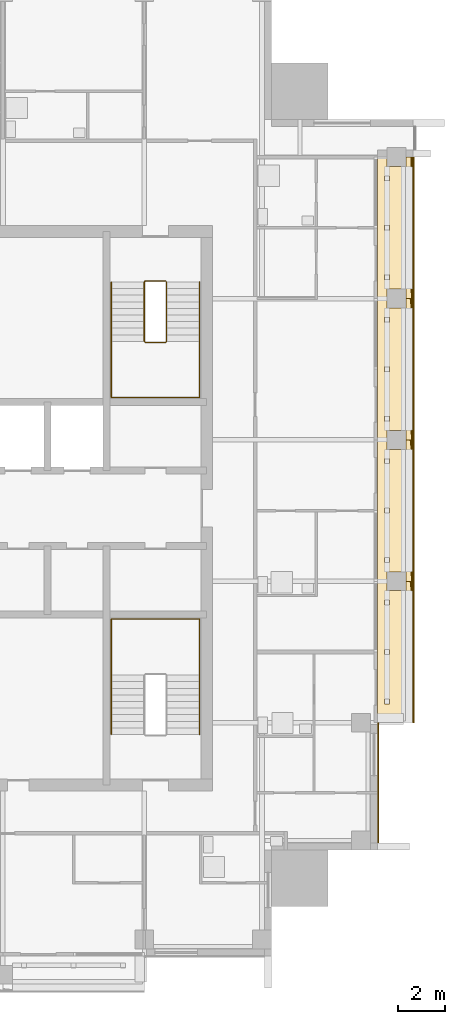
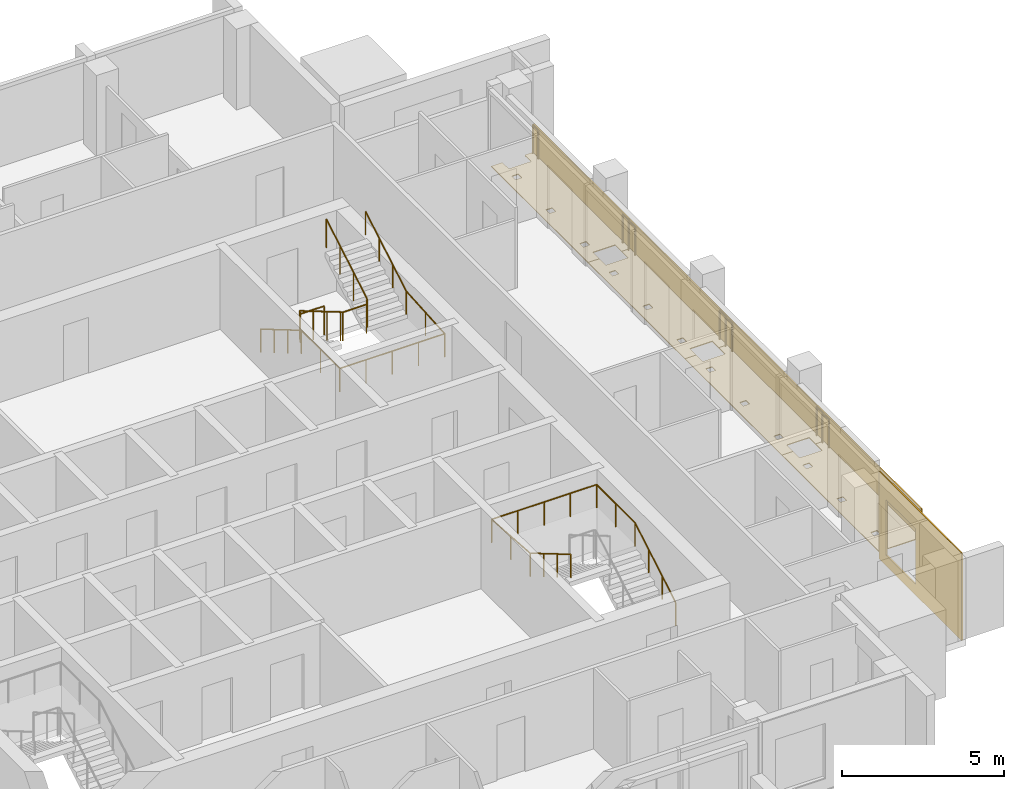
# One storey, part 14 of 15: 10 railings, 6 coverings.
"""IFC4 building model written with IfcOpenShell, lengths in metres."""

from ifc_helpers import new_model, si_unit, direction, frame, origin, origin_2d, place, context, subcontext, project, spatial, polyline, circle, outline, extrude, material, layer, layer_set, type_object, element, save


model = new_model("IFC4")

# Units and contexts
model_context = context("Model", 3, precision=1e-05, world=origin(), true_north=direction((0.0, 1.0)))
body_context = subcontext(model_context, "Body", "Model", "MODEL_VIEW")
ifc_project = project(units=[si_unit("LENGTHUNIT", "METRE"), si_unit("AREAUNIT", "SQUARE_METRE"), si_unit("VOLUMEUNIT", "CUBIC_METRE"), si_unit("PLANEANGLEUNIT", "RADIAN"), si_unit("MASSUNIT", "GRAM", prefix="KILO")], contexts=[model_context])

# Site, building, storey
site_placement = place(None, origin())
site = spatial("IfcSite", under=ifc_project, at=site_placement, CompositionType="ELEMENT")
building_placement = place(site_placement, origin())
building = spatial("IfcBuilding", under=site, at=building_placement, Name="Amberfall Residences", CompositionType="ELEMENT")
storey_placement = place(building_placement, frame((0.0, 0.0, 268.60009765625)))
storey = spatial("IfcBuildingStorey", under=building, at=storey_placement, Name="L72", CompositionType="ELEMENT", Elevation=268.60009765625)

# Coverings
ifc_material_1 = material(Name="Pale limestone cladding", Category="masonry")
ifc_layer_1 = layer(ifc_material_1, 0.050048828125)
ifc_layer_set_1 = layer_set([ifc_layer_1], Name="Limestone fascia 50")
covering_type_1 = type_object("IfcCoveringType", Name="Limestone fascia 50", PredefinedType="CLADDING", material=ifc_layer_set_1)
covering_1_placement = place(storey_placement, frame((0.0, 0.0, -0.25)))
element("IfcCovering", 1, at=covering_1_placement, inside=storey, type_object=covering_type_1, Name="Limestone terrace fascia L72 E1", PredefinedType="CLADDING", context=body_context, shape_type="SweptSolid", body=[
    extrude(outline(polyline([(95.0, 36.39990234375), (95.0, 60.39990234375), (95.050048828125, 60.39990234375), (95.050048828125, 36.39990234375), (95.0, 36.39990234375)])), origin(), (0.0, 0.0, 1.0), 1.349853515625),
])
covering_2_placement = place(storey_placement, frame((93.5, 31.300048828125, 3.0498046875), z_axis=(-1.0, 0.0, 0.0), x_axis=(0.0, 1.0, 0.0)))
element("IfcCovering", 2, at=covering_2_placement, inside=storey, type_object=covering_type_1, Name="Pale limestone cladding L72 E", PredefinedType="CLADDING", context=body_context, shape_type="SweptSolid", body=[
    extrude(outline(polyline([(0.0, 0.0), (5.099853515625, 0.0), (5.099853515625, 3.2998046875), (0.0, 3.2998046875), (0.0, 0.0)]), holes=[polyline([(2.849853515625, 0.7998046875), (4.64990234375, 0.7998046875), (4.64990234375, 2.89990234375), (2.849853515625, 2.89990234375), (2.849853515625, 0.7998046875)])]), origin(), (0.0, 0.0, -1.0), 0.050048828125),
])
ifc_material_2 = material(Name="Pale stone paving", Category="masonry")
ifc_layer_2 = layer(ifc_material_2, 0.030029296875)
ifc_layer_set_2 = layer_set([ifc_layer_2], Name="Pale stone paving 30")
covering_type_2 = type_object("IfcCoveringType", Name="Pale stone paving 30", PredefinedType="FLOORING", material=ifc_layer_set_2)
covering_3_placement = place(storey_placement, origin())
element("IfcCovering", 3, at=covering_3_placement, inside=storey, type_object=covering_type_2, Name="Pale stone paving L72 E2", PredefinedType="FLOORING", context=body_context, shape_type="SweptSolid", body=[
    extrude(outline(polyline([(95.0, 42.39990234375), (94.699951171875, 42.39990234375), (94.699951171875, 42.0), (93.89990234375, 42.0), (93.89990234375, 42.39990234375), (93.5, 42.39990234375), (93.5, 36.39990234375), (95.0, 36.39990234375), (95.0, 42.39990234375)]), holes=[polyline([(93.7900390625, 37.18994140625), (94.010009765625, 37.18994140625), (94.010009765625, 37.409912109375), (93.7900390625, 37.409912109375), (93.7900390625, 37.18994140625)]), polyline([(93.7900390625, 39.2900390625), (94.010009765625, 39.2900390625), (94.010009765625, 39.510009765625), (93.7900390625, 39.510009765625), (93.7900390625, 39.2900390625)]), polyline([(93.7900390625, 41.389892578125), (94.010009765625, 41.389892578125), (94.010009765625, 41.610107421875), (93.7900390625, 41.610107421875), (93.7900390625, 41.389892578125)])]), origin(), (0.0, 0.0, 1.0), 0.02978515625),
])
covering_4_placement = place(storey_placement, origin())
element("IfcCovering", 4, at=covering_4_placement, inside=storey, type_object=covering_type_2, Name="Pale stone paving L72 E3", PredefinedType="FLOORING", context=body_context, shape_type="SweptSolid", body=[
    extrude(outline(polyline([(95.0, 48.39990234375), (94.699951171875, 48.39990234375), (94.699951171875, 48.0), (93.89990234375, 48.0), (93.89990234375, 48.39990234375), (93.5, 48.39990234375), (93.5, 42.39990234375), (93.89990234375, 42.39990234375), (93.89990234375, 42.800048828125), (94.699951171875, 42.800048828125), (94.699951171875, 42.39990234375), (95.0, 42.39990234375), (95.0, 48.39990234375)]), holes=[polyline([(93.7900390625, 43.18994140625), (94.010009765625, 43.18994140625), (94.010009765625, 43.409912109375), (93.7900390625, 43.409912109375), (93.7900390625, 43.18994140625)]), polyline([(93.7900390625, 45.2900390625), (94.010009765625, 45.2900390625), (94.010009765625, 45.510009765625), (93.7900390625, 45.510009765625), (93.7900390625, 45.2900390625)]), polyline([(93.7900390625, 47.389892578125), (94.010009765625, 47.389892578125), (94.010009765625, 47.610107421875), (93.7900390625, 47.610107421875), (93.7900390625, 47.389892578125)])]), origin(), (0.0, 0.0, 1.0), 0.02978515625),
])
covering_5_placement = place(storey_placement, origin())
element("IfcCovering", 5, at=covering_5_placement, inside=storey, type_object=covering_type_2, Name="Pale stone paving L72 E4", PredefinedType="FLOORING", context=body_context, shape_type="SweptSolid", body=[
    extrude(outline(polyline([(95.0, 54.39990234375), (94.699951171875, 54.39990234375), (94.699951171875, 54.0), (93.89990234375, 54.0), (93.89990234375, 54.39990234375), (93.5, 54.39990234375), (93.5, 48.39990234375), (93.89990234375, 48.39990234375), (93.89990234375, 48.800048828125), (94.699951171875, 48.800048828125), (94.699951171875, 48.39990234375), (95.0, 48.39990234375), (95.0, 54.39990234375)]), holes=[polyline([(93.7900390625, 49.18994140625), (94.010009765625, 49.18994140625), (94.010009765625, 49.409912109375), (93.7900390625, 49.409912109375), (93.7900390625, 49.18994140625)]), polyline([(93.7900390625, 51.2900390625), (94.010009765625, 51.2900390625), (94.010009765625, 51.510009765625), (93.7900390625, 51.510009765625), (93.7900390625, 51.2900390625)]), polyline([(93.7900390625, 53.389892578125), (94.010009765625, 53.389892578125), (94.010009765625, 53.610107421875), (93.7900390625, 53.610107421875), (93.7900390625, 53.389892578125)])]), origin(), (0.0, 0.0, 1.0), 0.02978515625),
])
covering_6_placement = place(storey_placement, origin())
element("IfcCovering", 6, at=covering_6_placement, inside=storey, type_object=covering_type_2, Name="Pale stone paving L72 E5", PredefinedType="FLOORING", context=body_context, shape_type="SweptSolid", body=[
    extrude(outline(polyline([(95.0, 60.39990234375), (94.699951171875, 60.39990234375), (94.699951171875, 60.0), (93.89990234375, 60.0), (93.89990234375, 60.39990234375), (93.5, 60.39990234375), (93.5, 54.39990234375), (93.89990234375, 54.39990234375), (93.89990234375, 54.800048828125), (94.699951171875, 54.800048828125), (94.699951171875, 54.39990234375), (95.0, 54.39990234375), (95.0, 60.39990234375)]), holes=[polyline([(93.7900390625, 55.18994140625), (94.010009765625, 55.18994140625), (94.010009765625, 55.409912109375), (93.7900390625, 55.409912109375), (93.7900390625, 55.18994140625)]), polyline([(93.7900390625, 57.2900390625), (94.010009765625, 57.2900390625), (94.010009765625, 57.510009765625), (93.7900390625, 57.510009765625), (93.7900390625, 57.2900390625)]), polyline([(93.7900390625, 59.389892578125), (94.010009765625, 59.389892578125), (94.010009765625, 59.610107421875), (93.7900390625, 59.610107421875), (93.7900390625, 59.389892578125)])]), origin(), (0.0, 0.0, 1.0), 0.02978515625),
])

# Railings
ifc_material_3 = material(Name="Stainless steel 316", Category="steel")
railing_type_1 = type_object("IfcRailingType", Name="Stair guard 1100", PredefinedType="GUARDRAIL", material=ifc_material_3)
railing_1_placement = place(storey_placement, frame((84.5, 55.14990234375, 0.0)))
element("IfcRailing", 7, at=railing_1_placement, inside=storey, type_object=railing_type_1, Name="L72 stair 3 guard", PredefinedType="GUARDRAIL", context=body_context, shape_type="SweptSolid", body=[
    extrude(circle(Radius=0.02392578125, at=origin_2d()), frame((0.0, 0.0, 1.076171875), z_axis=(-1.0, 0.0, 0.0), x_axis=(0.0, -1.0, 0.0)), (0.0, 0.0, 1.0), 0.85009765625),
    extrude(circle(Radius=0.02392578125, at=origin_2d()), frame((-0.85009765625, 0.0, 1.076171875), z_axis=(-0.277903107438, -0.277903107438, 0.919532340787), x_axis=(0.707106781187, -0.707106781187, 0.0)), (0.0, 0.0, 1.0), 0.17919921875),
    extrude(circle(Radius=0.02392578125, at=origin_2d()), frame((-0.89990234375, -0.0498046875, 1.24072265625), z_axis=(0.0, -0.86152411907, 0.507716645641), x_axis=(1.0, 0.0, 0.0)), (0.0, 0.0, 1.0), 2.925048828125),
    extrude(circle(Radius=0.02392578125, at=origin_2d()), frame((-0.89990234375, -2.56982421875, 2.72607421875), z_axis=(0.705375805398, -0.708833529934, 0.0), x_axis=(0.708833529934, 0.705375805398, 0.0)), (0.0, 0.0, 1.0), 0.070556640625),
    extrude(circle(Radius=0.02392578125, at=origin_2d()), frame((-0.85009765625, -2.619873046875, 2.72607421875), z_axis=(1.0, 0.0, 0.0), x_axis=(0.0, 1.0, 0.0)), (0.0, 0.0, 1.0), 0.85009765625),
    extrude(circle(Radius=0.02392578125, at=origin_2d()), frame((0.0, -2.619873046875, 2.72607421875), z_axis=(0.278705021027, 0.278705021027, 0.919046801044), x_axis=(-0.707106781187, 0.707106781187, 0.0)), (0.0, 0.0, 1.0), 0.1796875),
    extrude(circle(Radius=0.02392578125, at=origin_2d()), frame((0.050048828125, -2.56982421875, 2.89111328125), z_axis=(0.0, 0.861560626758, 0.507654692109), x_axis=(-1.0, 0.0, 0.0)), (0.0, 0.0, 1.0), 2.925048828125),
    extrude(circle(Radius=0.02099609375, at=origin_2d()), origin(), (0.0, 0.0, 1.0), 1.052001953125),
    extrude(circle(Radius=0.02099609375, at=origin_2d()), frame((-0.85009765625, 0.0, 0.0)), (0.0, 0.0, 1.0), 1.052001953125),
    extrude(circle(Radius=0.02099609375, at=origin_2d()), frame((-0.89990234375, -0.0498046875, 0.164794921875)), (0.0, 0.0, 1.0), 1.052001953125),
    extrude(circle(Radius=0.02099609375, at=origin_2d()), frame((-0.89990234375, -0.889892578125, 0.659912109375)), (0.0, 0.0, 1.0), 1.052001953125),
    extrude(circle(Radius=0.02099609375, at=origin_2d()), frame((-0.89990234375, -1.729736328125, 1.15478515625)), (0.0, 0.0, 1.0), 1.052001953125),
    extrude(circle(Radius=0.02099609375, at=origin_2d()), frame((-0.89990234375, -2.56982421875, 1.64990234375)), (0.0, 0.0, 1.0), 1.052001953125),
    extrude(circle(Radius=0.02099609375, at=origin_2d()), frame((-0.85009765625, -2.619873046875, 1.64990234375)), (0.0, 0.0, 1.0), 1.052001953125),
    extrude(circle(Radius=0.02099609375, at=origin_2d()), frame((0.0, -2.619873046875, 1.64990234375)), (0.0, 0.0, 1.0), 1.052001953125),
    extrude(circle(Radius=0.02099609375, at=origin_2d()), frame((0.050048828125, -2.56982421875, 1.81494140625)), (0.0, 0.0, 1.0), 1.052001953125),
    extrude(circle(Radius=0.02099609375, at=origin_2d()), frame((0.050048828125, -1.729736328125, 2.309814453125)), (0.0, 0.0, 1.0), 1.052001953125),
    extrude(circle(Radius=0.02099609375, at=origin_2d()), frame((0.050048828125, -0.889892578125, 2.804931640625)), (0.0, 0.0, 1.0), 1.052001953125),
    extrude(circle(Radius=0.02099609375, at=origin_2d()), frame((0.050048828125, -0.0498046875, 3.2998046875)), (0.0, 0.0, 1.0), 1.052001953125),
])
railing_type_2 = type_object("IfcRailingType", Name="Stair handrail 900", PredefinedType="HANDRAIL", material=ifc_material_3)
railing_2_placement = place(storey_placement, frame((85.949951171875, 35.89990234375, 0.164794921875)))
element("IfcRailing", 8, at=railing_2_placement, inside=storey, type_object=railing_type_2, Name="L72 stair 2 handrail", PredefinedType="HANDRAIL", context=body_context, shape_type="SweptSolid", body=[
    extrude(circle(Radius=0.02392578125, at=origin_2d()), frame((0.0, 0.0, 0.8759765625), z_axis=(0.0, 0.86152411907, 0.507716645641), x_axis=(-1.0, 0.0, 0.0)), (0.0, 0.0, 1.0), 2.925048828125),
    extrude(circle(Radius=0.02392578125, at=origin_2d()), frame((0.0, 2.52001953125, 2.36083984375), z_axis=(0.0, 1.0, 0.0), x_axis=(-1.0, 0.0, 0.0)), (0.0, 0.0, 1.0), 2.380126953125),
    extrude(circle(Radius=0.02392578125, at=origin_2d()), frame((0.0, 4.900146484375, 2.36083984375), z_axis=(-1.0, 0.0, 0.0), x_axis=(0.0, -1.0, 0.0)), (0.0, 0.0, 1.0), 3.75),
    extrude(circle(Radius=0.02392578125, at=origin_2d()), frame((-3.75, 4.900146484375, 2.36083984375), z_axis=(0.0, -0.997604585917, 0.069174346095), x_axis=(1.0, 0.0, 0.0)), (0.0, 0.0, 1.0), 2.3857421875),
    extrude(circle(Radius=0.02392578125, at=origin_2d()), frame((-3.75, 2.52001953125, 2.52587890625), z_axis=(0.0, -0.861560626758, 0.507654692109), x_axis=(1.0, 0.0, 0.0)), (0.0, 0.0, 1.0), 2.925048828125),
    extrude(circle(Radius=0.02099609375, at=origin_2d()), origin(), (0.0, 0.0, 1.0), 0.851806640625),
    extrude(circle(Radius=0.02099609375, at=origin_2d()), frame((0.0, 0.840087890625, 0.4951171875)), (0.0, 0.0, 1.0), 0.851806640625),
    extrude(circle(Radius=0.02099609375, at=origin_2d()), frame((0.0, 1.679931640625, 0.989990234375)), (0.0, 0.0, 1.0), 0.851806640625),
    extrude(circle(Radius=0.02099609375, at=origin_2d()), frame((0.0, 2.52001953125, 1.485107421875)), (0.0, 0.0, 1.0), 0.851806640625),
    extrude(circle(Radius=0.02099609375, at=origin_2d()), frame((0.0, 3.7099609375, 1.485107421875)), (0.0, 0.0, 1.0), 0.851806640625),
    extrude(circle(Radius=0.02099609375, at=origin_2d()), frame((0.0, 4.900146484375, 1.485107421875)), (0.0, 0.0, 1.0), 0.851806640625),
    extrude(circle(Radius=0.02099609375, at=origin_2d()), frame((-0.9375, 4.900146484375, 1.485107421875)), (0.0, 0.0, 1.0), 0.851806640625),
    extrude(circle(Radius=0.02099609375, at=origin_2d()), frame((-1.875, 4.900146484375, 1.485107421875)), (0.0, 0.0, 1.0), 0.851806640625),
    extrude(circle(Radius=0.02099609375, at=origin_2d()), frame((-2.8125, 4.900146484375, 1.485107421875)), (0.0, 0.0, 1.0), 0.851806640625),
    extrude(circle(Radius=0.02099609375, at=origin_2d()), frame((-3.75, 4.900146484375, 1.485107421875)), (0.0, 0.0, 1.0), 0.851806640625),
    extrude(circle(Radius=0.02099609375, at=origin_2d()), frame((-3.75, 3.7099609375, 1.567626953125)), (0.0, 0.0, 1.0), 0.851806640625),
    extrude(circle(Radius=0.02099609375, at=origin_2d()), frame((-3.75, 2.52001953125, 1.650146484375)), (0.0, 0.0, 1.0), 0.851806640625),
    extrude(circle(Radius=0.02099609375, at=origin_2d()), frame((-3.75, 1.679931640625, 2.14501953125)), (0.0, 0.0, 1.0), 0.851806640625),
    extrude(circle(Radius=0.02099609375, at=origin_2d()), frame((-3.75, 0.840087890625, 2.64013671875)), (0.0, 0.0, 1.0), 0.851806640625),
    extrude(circle(Radius=0.02099609375, at=origin_2d()), frame((-3.75, 0.0, 3.135009765625)), (0.0, 0.0, 1.0), 0.851806640625),
])
railing_3_placement = place(storey_placement, frame((82.199951171875, 55.10009765625, 0.164794921875)))
element("IfcRailing", 9, at=railing_3_placement, inside=storey, type_object=railing_type_2, Name="L72 stair 3 handrail", PredefinedType="HANDRAIL", context=body_context, shape_type="SweptSolid", body=[
    extrude(circle(Radius=0.02392578125, at=origin_2d()), frame((0.0, 0.0, 0.8759765625), z_axis=(0.0, -0.86152411907, 0.507716645641), x_axis=(1.0, 0.0, 0.0)), (0.0, 0.0, 1.0), 2.925048828125),
    extrude(circle(Radius=0.02392578125, at=origin_2d()), frame((0.0, -2.52001953125, 2.36083984375), z_axis=(0.0, -1.0, 0.0), x_axis=(1.0, 0.0, 0.0)), (0.0, 0.0, 1.0), 2.380126953125),
    extrude(circle(Radius=0.02392578125, at=origin_2d()), frame((0.0, -4.900146484375, 2.36083984375), z_axis=(1.0, 0.0, 0.0), x_axis=(0.0, 1.0, 0.0)), (0.0, 0.0, 1.0), 3.75),
    extrude(circle(Radius=0.02392578125, at=origin_2d()), frame((3.75, -4.900146484375, 2.36083984375), z_axis=(0.0, 0.997604585917, 0.069174346095), x_axis=(-1.0, 0.0, 0.0)), (0.0, 0.0, 1.0), 2.3857421875),
    extrude(circle(Radius=0.02392578125, at=origin_2d()), frame((3.75, -2.52001953125, 2.52587890625), z_axis=(0.0, 0.861560626758, 0.507654692109), x_axis=(-1.0, 0.0, 0.0)), (0.0, 0.0, 1.0), 2.925048828125),
    extrude(circle(Radius=0.02099609375, at=origin_2d()), origin(), (0.0, 0.0, 1.0), 0.851806640625),
    extrude(circle(Radius=0.02099609375, at=origin_2d()), frame((0.0, -0.840087890625, 0.4951171875)), (0.0, 0.0, 1.0), 0.851806640625),
    extrude(circle(Radius=0.02099609375, at=origin_2d()), frame((0.0, -1.679931640625, 0.989990234375)), (0.0, 0.0, 1.0), 0.851806640625),
    extrude(circle(Radius=0.02099609375, at=origin_2d()), frame((0.0, -2.52001953125, 1.485107421875)), (0.0, 0.0, 1.0), 0.851806640625),
    extrude(circle(Radius=0.02099609375, at=origin_2d()), frame((0.0, -3.7099609375, 1.485107421875)), (0.0, 0.0, 1.0), 0.851806640625),
    extrude(circle(Radius=0.02099609375, at=origin_2d()), frame((0.0, -4.900146484375, 1.485107421875)), (0.0, 0.0, 1.0), 0.851806640625),
    extrude(circle(Radius=0.02099609375, at=origin_2d()), frame((0.9375, -4.900146484375, 1.485107421875)), (0.0, 0.0, 1.0), 0.851806640625),
    extrude(circle(Radius=0.02099609375, at=origin_2d()), frame((1.875, -4.900146484375, 1.485107421875)), (0.0, 0.0, 1.0), 0.851806640625),
    extrude(circle(Radius=0.02099609375, at=origin_2d()), frame((2.8125, -4.900146484375, 1.485107421875)), (0.0, 0.0, 1.0), 0.851806640625),
    extrude(circle(Radius=0.02099609375, at=origin_2d()), frame((3.75, -4.900146484375, 1.485107421875)), (0.0, 0.0, 1.0), 0.851806640625),
    extrude(circle(Radius=0.02099609375, at=origin_2d()), frame((3.75, -3.7099609375, 1.567626953125)), (0.0, 0.0, 1.0), 0.851806640625),
    extrude(circle(Radius=0.02099609375, at=origin_2d()), frame((3.75, -2.52001953125, 1.650146484375)), (0.0, 0.0, 1.0), 0.851806640625),
    extrude(circle(Radius=0.02099609375, at=origin_2d()), frame((3.75, -1.679931640625, 2.14501953125)), (0.0, 0.0, 1.0), 0.851806640625),
    extrude(circle(Radius=0.02099609375, at=origin_2d()), frame((3.75, -0.840087890625, 2.64013671875)), (0.0, 0.0, 1.0), 0.851806640625),
    extrude(circle(Radius=0.02099609375, at=origin_2d()), frame((3.75, 0.0, 3.135009765625)), (0.0, 0.0, 1.0), 0.851806640625),
])
ifc_material_4 = material(Name="Bronze anodised aluminium and laminated glass", Category="aluminium")
railing_type_3 = type_object("IfcRailingType", Name="Terrace edge guard 1100", PredefinedType="GUARDRAIL", material=ifc_material_4)
railing_4_placement = place(storey_placement, frame((94.9599609375, 42.02001953125, 0.02978515625)))
element("IfcRailing", 10, at=railing_4_placement, inside=storey, type_object=railing_type_3, Name="Terrace guard L72 E2", PredefinedType="GUARDRAIL", context=body_context, shape_type="SweptSolid", body=[
    extrude(circle(Radius=0.02392578125, at=origin_2d()), frame((0.0, 0.0, 1.076171875), z_axis=(-0.116923978688, 0.993140867756, 0.0), x_axis=(-0.993140867756, -0.116923978688, 0.0)), (0.0, 0.0, 1.0), 0.342529296875),
    extrude(circle(Radius=0.02099609375, at=origin_2d()), origin(), (0.0, 0.0, 1.0), 1.052001953125),
    extrude(circle(Radius=0.02099609375, at=origin_2d()), frame((-0.0400390625, 0.340087890625, 0.0)), (0.0, 0.0, 1.0), 1.052001953125),
])
railing_5_placement = place(storey_placement, frame((94.969970703125, 42.43994140625, 0.02978515625)))
element("IfcRailing", 11, at=railing_5_placement, inside=storey, type_object=railing_type_3, Name="Terrace guard L72 E3", PredefinedType="GUARDRAIL", context=body_context, shape_type="SweptSolid", body=[
    extrude(circle(Radius=0.02392578125, at=origin_2d()), frame((0.0, 0.0, 1.076171875), z_axis=(-0.029420138188, 0.999567134048, 0.0), x_axis=(-0.999567134048, -0.029420138188, 0.0)), (0.0, 0.0, 1.0), 0.34033203125),
    extrude(circle(Radius=0.02099609375, at=origin_2d()), origin(), (0.0, 0.0, 1.0), 1.052001953125),
    extrude(circle(Radius=0.02099609375, at=origin_2d()), frame((-0.010009765625, 0.340087890625, 0.0)), (0.0, 0.0, 1.0), 1.052001953125),
])
railing_6_placement = place(storey_placement, frame((94.9599609375, 48.02001953125, 0.02978515625)))
element("IfcRailing", 12, at=railing_6_placement, inside=storey, type_object=railing_type_3, Name="Terrace guard L72 E3", PredefinedType="GUARDRAIL", context=body_context, shape_type="SweptSolid", body=[
    extrude(circle(Radius=0.02392578125, at=origin_2d()), frame((0.0, 0.0, 1.076171875), z_axis=(-0.116923978688, 0.993140867756, 0.0), x_axis=(-0.993140867756, -0.116923978688, 0.0)), (0.0, 0.0, 1.0), 0.342529296875),
    extrude(circle(Radius=0.02099609375, at=origin_2d()), origin(), (0.0, 0.0, 1.0), 1.052001953125),
    extrude(circle(Radius=0.02099609375, at=origin_2d()), frame((-0.0400390625, 0.340087890625, 0.0)), (0.0, 0.0, 1.0), 1.052001953125),
])
railing_7_placement = place(storey_placement, frame((94.969970703125, 48.43994140625, 0.02978515625)))
element("IfcRailing", 13, at=railing_7_placement, inside=storey, type_object=railing_type_3, Name="Terrace guard L72 E4", PredefinedType="GUARDRAIL", context=body_context, shape_type="SweptSolid", body=[
    extrude(circle(Radius=0.02392578125, at=origin_2d()), frame((0.0, 0.0, 1.076171875), z_axis=(-0.029420138188, 0.999567134048, 0.0), x_axis=(-0.999567134048, -0.029420138188, 0.0)), (0.0, 0.0, 1.0), 0.34033203125),
    extrude(circle(Radius=0.02099609375, at=origin_2d()), origin(), (0.0, 0.0, 1.0), 1.052001953125),
    extrude(circle(Radius=0.02099609375, at=origin_2d()), frame((-0.010009765625, 0.340087890625, 0.0)), (0.0, 0.0, 1.0), 1.052001953125),
])
railing_8_placement = place(storey_placement, frame((94.9599609375, 54.02001953125, 0.02978515625)))
element("IfcRailing", 14, at=railing_8_placement, inside=storey, type_object=railing_type_3, Name="Terrace guard L72 E4", PredefinedType="GUARDRAIL", context=body_context, shape_type="SweptSolid", body=[
    extrude(circle(Radius=0.02392578125, at=origin_2d()), frame((0.0, 0.0, 1.076171875), z_axis=(-0.116923978688, 0.993140867756, 0.0), x_axis=(-0.993140867756, -0.116923978688, 0.0)), (0.0, 0.0, 1.0), 0.342529296875),
    extrude(circle(Radius=0.02099609375, at=origin_2d()), origin(), (0.0, 0.0, 1.0), 1.052001953125),
    extrude(circle(Radius=0.02099609375, at=origin_2d()), frame((-0.0400390625, 0.340087890625, 0.0)), (0.0, 0.0, 1.0), 1.052001953125),
])
railing_9_placement = place(storey_placement, frame((94.969970703125, 54.43994140625, 0.02978515625)))
element("IfcRailing", 15, at=railing_9_placement, inside=storey, type_object=railing_type_3, Name="Terrace guard L72 E5", PredefinedType="GUARDRAIL", context=body_context, shape_type="SweptSolid", body=[
    extrude(circle(Radius=0.02392578125, at=origin_2d()), frame((0.0, 0.0, 1.076171875), z_axis=(-0.029420138188, 0.999567134048, 0.0), x_axis=(-0.999567134048, -0.029420138188, 0.0)), (0.0, 0.0, 1.0), 0.34033203125),
    extrude(circle(Radius=0.02099609375, at=origin_2d()), origin(), (0.0, 0.0, 1.0), 1.052001953125),
    extrude(circle(Radius=0.02099609375, at=origin_2d()), frame((-0.010009765625, 0.340087890625, 0.0)), (0.0, 0.0, 1.0), 1.052001953125),
])
railing_10_placement = place(storey_placement, frame((94.9599609375, 60.02001953125, 0.02978515625)))
element("IfcRailing", 16, at=railing_10_placement, inside=storey, type_object=railing_type_3, Name="Terrace guard L72 E5", PredefinedType="GUARDRAIL", context=body_context, shape_type="SweptSolid", body=[
    extrude(circle(Radius=0.02392578125, at=origin_2d()), frame((0.0, 0.0, 1.076171875), z_axis=(0.00921946631, 0.999957499817, 0.0), x_axis=(-0.999957499817, 0.00921946631, 0.0)), (0.0, 0.0, 1.0), 0.34423828125),
    extrude(circle(Radius=0.02099609375, at=origin_2d()), origin(), (0.0, 0.0, 1.0), 1.052001953125),
    extrude(circle(Radius=0.02099609375, at=origin_2d()), frame((0.003173828125, 0.34423828125, 0.0)), (0.0, 0.0, 1.0), 1.052001953125),
])

save(model, "model.ifc")
